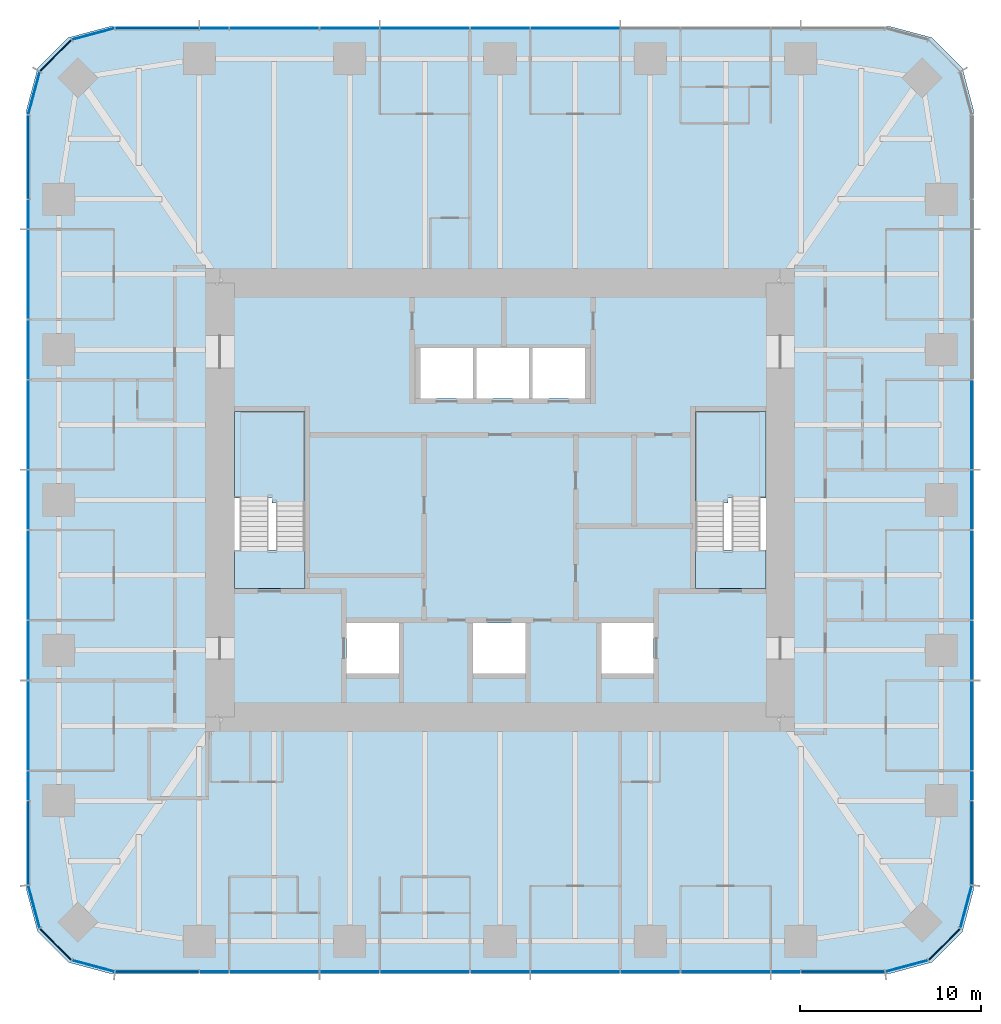
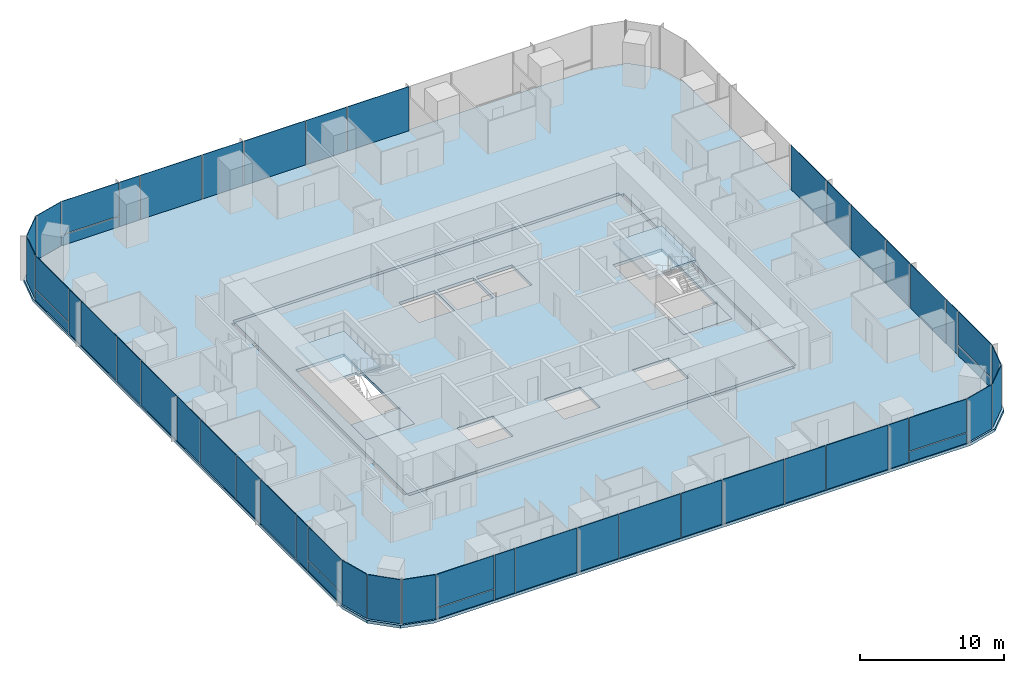
# One storey, part 7 of 12: 51 plates, 6 slabs, 9 elements without a shape of their own.
"""IFC4 building model written with IfcOpenShell, lengths in metres."""

from ifc_helpers import new_model, si_unit, direction, frame, origin, origin_2d, place, context, subcontext, project, spatial, polyline, rectangle, outline, extrude, material, layer, layer_set, type_object, element, aggregate, save


model = new_model("IFC4")

# Units and contexts
model_context = context("Model", 3, precision=1e-05, world=origin(), true_north=direction((0.0, 1.0)))
body_context = subcontext(model_context, "Body", "Model", "MODEL_VIEW")
ifc_project = project(units=[si_unit("LENGTHUNIT", "METRE"), si_unit("AREAUNIT", "SQUARE_METRE"), si_unit("VOLUMEUNIT", "CUBIC_METRE"), si_unit("PLANEANGLEUNIT", "RADIAN"), si_unit("MASSUNIT", "GRAM", prefix="KILO")], contexts=[model_context])

# Site, building, storey
site_placement = place(None, origin())
site = spatial("IfcSite", under=ifc_project, at=site_placement, CompositionType="ELEMENT")
building_placement = place(site_placement, origin())
building = spatial("IfcBuilding", under=site, at=building_placement, Name="Khuree Lantern Residences", CompositionType="ELEMENT")
storey_placement = place(building_placement, frame((0.0, 0.0, 229.5)))
storey = spatial("IfcBuildingStorey", under=building, at=storey_placement, Name="L57", CompositionType="ELEMENT", Elevation=229.5)

# Slab
ifc_material_1 = material(Name="Concrete C35/45", Category="concrete")
ifc_layer_1 = layer(ifc_material_1, 0.25)
ifc_layer_set_1 = layer_set([ifc_layer_1], Name="CFL250 CORE FLOOR SLAB 250")
slab_type_1 = type_object("IfcSlabType", Name="CFL250 CORE FLOOR SLAB 250", PredefinedType="FLOOR", material=ifc_layer_set_1)
slab_1_placement = place(storey_placement, frame((0.0, 0.0, -0.25)))
element("IfcSlab", 1, at=slab_1_placement, inside=storey, type_object=slab_type_1, Name="Core floor L57", PredefinedType="FLOOR", context=body_context, shape_type="SweptSolid", body=[
    extrude(outline(polyline([(-15.5, -12.0), (-15.5, 12.0), (15.5, 12.0), (15.5, -12.0), (-15.5, -12.0)]), holes=[polyline([(10.800048828125, 4.89990234375), (10.800048828125, -4.89990234375), (14.699951171875, -4.89990234375), (14.699951171875, 4.89990234375), (10.800048828125, 4.89990234375)]), polyline([(5.60009765625, -6.800048828125), (5.60009765625, -9.60009765625), (8.5, -9.60009765625), (8.5, -6.800048828125), (5.60009765625, -6.800048828125)]), polyline([(1.800048828125, 8.39990234375), (1.800048828125, 5.60009765625), (4.699951171875, 5.60009765625), (4.699951171875, 8.39990234375), (1.800048828125, 8.39990234375)]), polyline([(-1.300048828125, 8.39990234375), (-1.300048828125, 5.60009765625), (1.60009765625, 5.60009765625), (1.60009765625, 8.39990234375), (-1.300048828125, 8.39990234375)]), polyline([(-1.5, -6.800048828125), (-1.5, -9.60009765625), (1.39990234375, -9.60009765625), (1.39990234375, -6.800048828125), (-1.5, -6.800048828125)]), polyline([(-4.39990234375, 8.39990234375), (-4.39990234375, 5.60009765625), (-1.5, 5.60009765625), (-1.5, 8.39990234375), (-4.39990234375, 8.39990234375)]), polyline([(-8.5, -6.800048828125), (-8.5, -9.60009765625), (-5.60009765625, -9.60009765625), (-5.60009765625, -6.800048828125), (-8.5, -6.800048828125)]), polyline([(-14.699951171875, 4.89990234375), (-14.699951171875, -4.89990234375), (-10.800048828125, -4.89990234375), (-10.800048828125, 4.89990234375), (-14.699951171875, 4.89990234375)])]), origin(), (0.0, 0.0, 1.0), 0.25),
])

# Curtain wall, plates
ifc_material_2 = material(Name="Bronze anodised aluminium", Category="aluminium")
curtain_wall_type_1 = type_object("IfcCurtainWallType", Name="CW-T2 TOWER CORNER CURTAIN WALL", PredefinedType="USERDEFINED", material=ifc_material_2)
curtain_wall_1_placement = place(storey_placement, origin())
curtain_wall_1 = element("IfcCurtainWall", 2, at=curtain_wall_1_placement, inside=storey, type_object=curtain_wall_type_1, Name="L57 SOUTH-EAST CORNER CURTAIN WALL", ObjectType="Faceted corner curtain wall", PredefinedType="USERDEFINED")
ifc_material_3 = material(Name="Bronze tinted triple glazing", Category="glass")
ifc_layer_2 = layer(ifc_material_3, 0.048095703125)
ifc_layer_set_2 = layer_set([ifc_layer_2], Name="FACET PANEL P4")
plate_type_1 = type_object("IfcPlateType", Name="FACET PANEL P4", PredefinedType="CURTAIN_PANEL", material=ifc_layer_set_2)
plate_1_placement = place(storey_placement, frame((22.498046875, -25.779052734375, 0.0), z_axis=(0.0, 0.0, 1.0), x_axis=(0.965925832509, 0.258819021888, 0.0)))
plate_1 = element("IfcPlate", 3, at=plate_1_placement, type_object=plate_type_1, Name="L57 SOUTH-EAST CORNER PANEL 1.1", PredefinedType="CURTAIN_PANEL", context=body_context, shape_type="SweptSolid", body=[
    extrude(rectangle(XDim=2.40869140625, YDim=0.048095703125, at=origin_2d()), origin(), (0.0, 0.0, 1.0), 3.75),
])
plate_2_placement = place(storey_placement, frame((24.578369140625, -24.578369140625, 0.0), z_axis=(0.0, 0.0, 1.0), x_axis=(0.707106781187, 0.707106781187, 0.0)))
plate_2 = element("IfcPlate", 4, at=plate_2_placement, type_object=plate_type_1, Name="L57 SOUTH-EAST CORNER PANEL 2.1", PredefinedType="CURTAIN_PANEL", context=body_context, shape_type="SweptSolid", body=[
    extrude(rectangle(XDim=2.404541015625, YDim=0.048095703125, at=origin_2d()), origin(), (0.0, 0.0, 1.0), 3.75),
])
plate_3_placement = place(storey_placement, frame((25.779052734375, -22.498046875, 0.0), z_axis=(0.0, 0.0, 1.0), x_axis=(0.258819021888, 0.965925832509, 0.0)))
plate_3 = element("IfcPlate", 5, at=plate_3_placement, type_object=plate_type_1, Name="L57 SOUTH-EAST CORNER PANEL 3.1", PredefinedType="CURTAIN_PANEL", context=body_context, shape_type="SweptSolid", body=[
    extrude(rectangle(XDim=2.40869140625, YDim=0.048095703125, at=origin_2d()), origin(), (0.0, 0.0, 1.0), 3.75),
])
aggregate(curtain_wall_1, [plate_1, plate_2, plate_3])

curtain_wall_2_placement = place(storey_placement, origin())
curtain_wall_2 = element("IfcCurtainWall", 6, at=curtain_wall_2_placement, inside=storey, type_object=curtain_wall_type_1, Name="L57 NORTH-WEST CORNER CURTAIN WALL", ObjectType="Faceted corner curtain wall", PredefinedType="USERDEFINED")
plate_4_placement = place(storey_placement, frame((-22.498046875, 25.779052734375, 0.0), z_axis=(0.0, 0.0, 1.0), x_axis=(-0.965925832509, -0.258819021888, 0.0)))
plate_4 = element("IfcPlate", 7, at=plate_4_placement, type_object=plate_type_1, Name="L57 NORTH-WEST CORNER PANEL 29.1", PredefinedType="CURTAIN_PANEL", context=body_context, shape_type="SweptSolid", body=[
    extrude(rectangle(XDim=2.40869140625, YDim=0.048095703125, at=origin_2d()), origin(), (0.0, 0.0, 1.0), 3.75),
])
plate_5_placement = place(storey_placement, frame((-24.578369140625, 24.578369140625, 0.0), z_axis=(0.0, 0.0, 1.0), x_axis=(-0.707106781187, -0.707106781187, 0.0)))
plate_5 = element("IfcPlate", 8, at=plate_5_placement, type_object=plate_type_1, Name="L57 NORTH-WEST CORNER PANEL 30.1", PredefinedType="CURTAIN_PANEL", context=body_context, shape_type="SweptSolid", body=[
    extrude(rectangle(XDim=2.404541015625, YDim=0.048095703125, at=origin_2d()), origin(), (0.0, 0.0, 1.0), 3.75),
])
plate_6_placement = place(storey_placement, frame((-25.779052734375, 22.498046875, 0.0), z_axis=(0.0, 0.0, 1.0), x_axis=(-0.258819021888, -0.965925832509, 0.0)))
plate_6 = element("IfcPlate", 9, at=plate_6_placement, type_object=plate_type_1, Name="L57 NORTH-WEST CORNER PANEL 31.1", PredefinedType="CURTAIN_PANEL", context=body_context, shape_type="SweptSolid", body=[
    extrude(rectangle(XDim=2.40869140625, YDim=0.048095703125, at=origin_2d()), origin(), (0.0, 0.0, 1.0), 3.75),
])
aggregate(curtain_wall_2, [plate_4, plate_5, plate_6])

curtain_wall_3_placement = place(storey_placement, origin())
curtain_wall_3 = element("IfcCurtainWall", 10, at=curtain_wall_3_placement, inside=storey, type_object=curtain_wall_type_1, Name="L57 SOUTH-WEST CORNER CURTAIN WALL", ObjectType="Faceted corner curtain wall", PredefinedType="USERDEFINED")
plate_7_placement = place(storey_placement, frame((-25.779052734375, -22.498046875, 0.0), z_axis=(0.0, 0.0, 1.0), x_axis=(0.258819021888, -0.965925832509, 0.0)))
plate_7 = element("IfcPlate", 11, at=plate_7_placement, type_object=plate_type_1, Name="L57 SOUTH-WEST CORNER PANEL 43.1", PredefinedType="CURTAIN_PANEL", context=body_context, shape_type="SweptSolid", body=[
    extrude(rectangle(XDim=2.40869140625, YDim=0.048095703125, at=origin_2d()), origin(), (0.0, 0.0, 1.0), 3.75),
])
plate_8_placement = place(storey_placement, frame((-24.578369140625, -24.578369140625, 0.0), z_axis=(0.0, 0.0, 1.0), x_axis=(0.707106781187, -0.707106781187, 0.0)))
plate_8 = element("IfcPlate", 12, at=plate_8_placement, type_object=plate_type_1, Name="L57 SOUTH-WEST CORNER PANEL 44.1", PredefinedType="CURTAIN_PANEL", context=body_context, shape_type="SweptSolid", body=[
    extrude(rectangle(XDim=2.404541015625, YDim=0.048095703125, at=origin_2d()), origin(), (0.0, 0.0, 1.0), 3.75),
])
plate_9_placement = place(storey_placement, frame((-22.498046875, -25.779052734375, 0.0), z_axis=(0.0, 0.0, 1.0), x_axis=(0.965925832509, -0.258819021888, 0.0)))
plate_9 = element("IfcPlate", 13, at=plate_9_placement, type_object=plate_type_1, Name="L57 SOUTH-WEST CORNER PANEL 45.1", PredefinedType="CURTAIN_PANEL", context=body_context, shape_type="SweptSolid", body=[
    extrude(rectangle(XDim=2.40869140625, YDim=0.048095703125, at=origin_2d()), origin(), (0.0, 0.0, 1.0), 3.75),
])
aggregate(curtain_wall_3, [plate_7, plate_8, plate_9])

curtain_wall_type_2 = type_object("IfcCurtainWallType", Name="CW-T1 TOWER FACE CURTAIN WALL", PredefinedType="USERDEFINED", material=ifc_material_2)
curtain_wall_4_placement = place(storey_placement, origin())
curtain_wall_4 = element("IfcCurtainWall", 14, at=curtain_wall_4_placement, inside=storey, type_object=curtain_wall_type_2, Name="L57 EAST FACE CURTAIN WALL", ObjectType="Stick-built curtain wall", PredefinedType="USERDEFINED")
ifc_material_4 = material(Name="Bronze tinted triple glazing with a ceramic-fritted spandrel band", Category="glass")
ifc_layer_3 = layer(ifc_material_4, 0.048095703125)
ifc_layer_set_3 = layer_set([ifc_layer_3], Name="FIXED LIGHT PANEL P11")
plate_type_2 = type_object("IfcPlateType", Name="FIXED LIGHT PANEL P11", PredefinedType="CURTAIN_PANEL", material=ifc_layer_set_3)
plate_10_placement = place(storey_placement, frame((26.10009765625, -12.47998046875, 0.0), z_axis=(0.0, 0.0, 1.0), x_axis=(0.0, 1.0, 0.0)))
plate_10 = element("IfcPlate", 15, at=plate_10_placement, type_object=plate_type_2, Name="L57 EAST FACE PANEL 6.1", PredefinedType="CURTAIN_PANEL", context=body_context, shape_type="SweptSolid", body=[
    extrude(rectangle(XDim=4.927001953125, YDim=0.048095703125, at=origin_2d()), origin(), (0.0, 0.0, 1.0), 3.75),
])
plate_11_placement = place(storey_placement, frame((26.10009765625, -4.159912109375, 0.0), z_axis=(0.0, 0.0, 1.0), x_axis=(0.0, 1.0, 0.0)))
plate_11 = element("IfcPlate", 16, at=plate_11_placement, type_object=plate_type_2, Name="L57 EAST FACE PANEL 8.1", PredefinedType="CURTAIN_PANEL", context=body_context, shape_type="SweptSolid", body=[
    extrude(rectangle(XDim=4.927001953125, YDim=0.048095703125, at=origin_2d()), origin(), (0.0, 0.0, 1.0), 3.75),
])
plate_12_placement = place(storey_placement, frame((26.10009765625, 4.159912109375, 0.0), z_axis=(0.0, 0.0, 1.0), x_axis=(0.0, 1.0, 0.0)))
plate_12 = element("IfcPlate", 17, at=plate_12_placement, type_object=plate_type_2, Name="L57 EAST FACE PANEL 10.1", PredefinedType="CURTAIN_PANEL", context=body_context, shape_type="SweptSolid", body=[
    extrude(rectangle(XDim=4.927001953125, YDim=0.048095703125, at=origin_2d()), origin(), (0.0, 0.0, 1.0), 3.75),
])

curtain_wall_5_placement = place(storey_placement, origin())
curtain_wall_5 = element("IfcCurtainWall", 18, at=curtain_wall_5_placement, inside=storey, type_object=curtain_wall_type_2, Name="L57 NORTH FACE CURTAIN WALL", ObjectType="Stick-built curtain wall", PredefinedType="USERDEFINED")
plate_13_placement = place(storey_placement, frame((4.159912109375, 26.10009765625, 0.0), z_axis=(0.0, 0.0, 1.0), x_axis=(-1.0, 0.0, 0.0)))
plate_13 = element("IfcPlate", 19, at=plate_13_placement, type_object=plate_type_2, Name="L57 NORTH FACE PANEL 22.1", PredefinedType="CURTAIN_PANEL", context=body_context, shape_type="SweptSolid", body=[
    extrude(rectangle(XDim=4.927001953125, YDim=0.048095703125, at=origin_2d()), origin(), (0.0, 0.0, 1.0), 3.75),
])
plate_14_placement = place(storey_placement, frame((-4.159912109375, 26.10009765625, 0.0), z_axis=(0.0, 0.0, 1.0), x_axis=(-1.0, 0.0, 0.0)))
plate_14 = element("IfcPlate", 20, at=plate_14_placement, type_object=plate_type_2, Name="L57 NORTH FACE PANEL 24.1", PredefinedType="CURTAIN_PANEL", context=body_context, shape_type="SweptSolid", body=[
    extrude(rectangle(XDim=4.927001953125, YDim=0.048095703125, at=origin_2d()), origin(), (0.0, 0.0, 1.0), 3.75),
])
plate_15_placement = place(storey_placement, frame((-12.47998046875, 26.10009765625, 0.0), z_axis=(0.0, 0.0, 1.0), x_axis=(-1.0, 0.0, 0.0)))
plate_15 = element("IfcPlate", 21, at=plate_15_placement, type_object=plate_type_2, Name="L57 NORTH FACE PANEL 26.1", PredefinedType="CURTAIN_PANEL", context=body_context, shape_type="SweptSolid", body=[
    extrude(rectangle(XDim=4.927001953125, YDim=0.048095703125, at=origin_2d()), origin(), (0.0, 0.0, 1.0), 3.75),
])

curtain_wall_6_placement = place(storey_placement, origin())
curtain_wall_6 = element("IfcCurtainWall", 22, at=curtain_wall_6_placement, inside=storey, type_object=curtain_wall_type_2, Name="L57 WEST FACE CURTAIN WALL", ObjectType="Stick-built curtain wall", PredefinedType="USERDEFINED")
plate_16_placement = place(storey_placement, frame((-26.10009765625, 12.47998046875, 0.0), z_axis=(0.0, 0.0, 1.0), x_axis=(0.0, -1.0, 0.0)))
plate_16 = element("IfcPlate", 23, at=plate_16_placement, type_object=plate_type_2, Name="L57 WEST FACE PANEL 34.1", PredefinedType="CURTAIN_PANEL", context=body_context, shape_type="SweptSolid", body=[
    extrude(rectangle(XDim=4.927001953125, YDim=0.048095703125, at=origin_2d()), origin(), (0.0, 0.0, 1.0), 3.75),
])
plate_17_placement = place(storey_placement, frame((-26.10009765625, 4.159912109375, 0.0), z_axis=(0.0, 0.0, 1.0), x_axis=(0.0, -1.0, 0.0)))
plate_17 = element("IfcPlate", 24, at=plate_17_placement, type_object=plate_type_2, Name="L57 WEST FACE PANEL 36.1", PredefinedType="CURTAIN_PANEL", context=body_context, shape_type="SweptSolid", body=[
    extrude(rectangle(XDim=4.927001953125, YDim=0.048095703125, at=origin_2d()), origin(), (0.0, 0.0, 1.0), 3.75),
])
plate_18_placement = place(storey_placement, frame((-26.10009765625, -4.159912109375, 0.0), z_axis=(0.0, 0.0, 1.0), x_axis=(0.0, -1.0, 0.0)))
plate_18 = element("IfcPlate", 25, at=plate_18_placement, type_object=plate_type_2, Name="L57 WEST FACE PANEL 38.1", PredefinedType="CURTAIN_PANEL", context=body_context, shape_type="SweptSolid", body=[
    extrude(rectangle(XDim=4.927001953125, YDim=0.048095703125, at=origin_2d()), origin(), (0.0, 0.0, 1.0), 3.75),
])
plate_19_placement = place(storey_placement, frame((-26.10009765625, -12.47998046875, 0.0), z_axis=(0.0, 0.0, 1.0), x_axis=(0.0, -1.0, 0.0)))
plate_19 = element("IfcPlate", 26, at=plate_19_placement, type_object=plate_type_2, Name="L57 WEST FACE PANEL 40.1", PredefinedType="CURTAIN_PANEL", context=body_context, shape_type="SweptSolid", body=[
    extrude(rectangle(XDim=4.927001953125, YDim=0.048095703125, at=origin_2d()), origin(), (0.0, 0.0, 1.0), 3.75),
])

curtain_wall_7_placement = place(storey_placement, origin())
curtain_wall_7 = element("IfcCurtainWall", 27, at=curtain_wall_7_placement, inside=storey, type_object=curtain_wall_type_2, Name="L57 SOUTH FACE CURTAIN WALL", ObjectType="Stick-built curtain wall", PredefinedType="USERDEFINED")
plate_20_placement = place(storey_placement, frame((-12.47998046875, -26.10009765625, 0.0), z_axis=(0.0, 0.0, 1.0), x_axis=(1.0, 0.0, 0.0)))
plate_20 = element("IfcPlate", 28, at=plate_20_placement, type_object=plate_type_2, Name="L57 SOUTH FACE PANEL 48.1", PredefinedType="CURTAIN_PANEL", context=body_context, shape_type="SweptSolid", body=[
    extrude(rectangle(XDim=4.927001953125, YDim=0.048095703125, at=origin_2d()), origin(), (0.0, 0.0, 1.0), 3.75),
])
plate_21_placement = place(storey_placement, frame((-4.159912109375, -26.10009765625, 0.0), z_axis=(0.0, 0.0, 1.0), x_axis=(1.0, 0.0, 0.0)))
plate_21 = element("IfcPlate", 29, at=plate_21_placement, type_object=plate_type_2, Name="L57 SOUTH FACE PANEL 50.1", PredefinedType="CURTAIN_PANEL", context=body_context, shape_type="SweptSolid", body=[
    extrude(rectangle(XDim=4.927001953125, YDim=0.048095703125, at=origin_2d()), origin(), (0.0, 0.0, 1.0), 3.75),
])
plate_22_placement = place(storey_placement, frame((4.159912109375, -26.10009765625, 0.0), z_axis=(0.0, 0.0, 1.0), x_axis=(1.0, 0.0, 0.0)))
plate_22 = element("IfcPlate", 30, at=plate_22_placement, type_object=plate_type_2, Name="L57 SOUTH FACE PANEL 52.1", PredefinedType="CURTAIN_PANEL", context=body_context, shape_type="SweptSolid", body=[
    extrude(rectangle(XDim=4.927001953125, YDim=0.048095703125, at=origin_2d()), origin(), (0.0, 0.0, 1.0), 3.75),
])
plate_23_placement = place(storey_placement, frame((12.47998046875, -26.10009765625, 0.0), z_axis=(0.0, 0.0, 1.0), x_axis=(1.0, 0.0, 0.0)))
plate_23 = element("IfcPlate", 31, at=plate_23_placement, type_object=plate_type_2, Name="L57 SOUTH FACE PANEL 54.1", PredefinedType="CURTAIN_PANEL", context=body_context, shape_type="SweptSolid", body=[
    extrude(rectangle(XDim=4.927001953125, YDim=0.048095703125, at=origin_2d()), origin(), (0.0, 0.0, 1.0), 3.75),
])

# Slab
ifc_layer_4 = layer(ifc_material_1, 0.25)
ifc_layer_set_4 = layer_set([ifc_layer_4], Name="FS250 FLOOR SLAB 250")
slab_type_2 = type_object("IfcSlabType", Name="FS250 FLOOR SLAB 250", PredefinedType="FLOOR", material=ifc_layer_set_4)
slab_2_placement = place(storey_placement, frame((0.0, 0.0, -0.25)))
element("IfcSlab", 32, at=slab_2_placement, inside=storey, type_object=slab_type_2, Name="Floor slab L57", PredefinedType="FLOOR", context=body_context, shape_type="SweptSolid", body=[
    extrude(outline(polyline([(-23.875, -25.576904296875), (-25.576904296875, -23.875), (-26.199951171875, -21.550048828125), (-26.199951171875, 21.550048828125), (-25.576904296875, 23.875), (-23.875, 25.576904296875), (-21.550048828125, 26.199951171875), (21.550048828125, 26.199951171875), (23.875, 25.576904296875), (25.576904296875, 23.875), (26.199951171875, 21.550048828125), (26.199951171875, -21.550048828125), (25.576904296875, -23.875), (23.875, -25.576904296875), (21.550048828125, -26.199951171875), (-21.550048828125, -26.199951171875), (-23.875, -25.576904296875)]), holes=[polyline([(15.75, 12.0), (15.5, 12.0), (15.5, 12.25), (-15.5, 12.25), (-15.5, 12.0), (-15.75, 12.0), (-15.75, -12.0), (-15.5, -12.0), (-15.5, -12.25), (15.5, -12.25), (15.5, -12.0), (15.75, -12.0), (15.75, 12.0)])]), origin(), (0.0, 0.0, 1.0), 0.25),
])

# Plate
ifc_material_5 = material(Name="Bronze tinted triple glazing, two aluminium-framed sashes in one frame", Category="aluminium")
ifc_layer_5 = layer(ifc_material_5, 0.048095703125)
ifc_layer_set_5 = layer_set([ifc_layer_5], Name="SASH PAIR PANEL P12")
plate_type_3 = type_object("IfcPlateType", Name="SASH PAIR PANEL P12", PredefinedType="CURTAIN_PANEL", material=ifc_layer_set_5)
plate_24_placement = place(storey_placement, frame((26.10009765625, -8.320068359375, 0.0), z_axis=(0.0, 0.0, 1.0), x_axis=(0.0, 1.0, 0.0)))
plate_24 = element("IfcPlate", 33, at=plate_24_placement, type_object=plate_type_3, Name="L57 EAST FACE PANEL 7.1", PredefinedType="CURTAIN_PANEL", context=body_context, shape_type="SweptSolid", body=[
    extrude(rectangle(XDim=3.262939453125, YDim=0.048095703125, at=origin_2d()), origin(), (0.0, 0.0, 1.0), 3.75),
])

plate_25_placement = place(storey_placement, frame((26.10009765625, 0.0, 0.0), z_axis=(0.0, 0.0, 1.0), x_axis=(0.0, 1.0, 0.0)))
plate_25 = element("IfcPlate", 34, at=plate_25_placement, type_object=plate_type_3, Name="L57 EAST FACE PANEL 9.1", PredefinedType="CURTAIN_PANEL", context=body_context, shape_type="SweptSolid", body=[
    extrude(rectangle(XDim=3.262939453125, YDim=0.048095703125, at=origin_2d()), origin(), (0.0, 0.0, 1.0), 3.75),
])

plate_26_placement = place(storey_placement, frame((0.0, 26.10009765625, 0.0), z_axis=(0.0, 0.0, 1.0), x_axis=(-1.0, 0.0, 0.0)))
plate_26 = element("IfcPlate", 35, at=plate_26_placement, type_object=plate_type_3, Name="L57 NORTH FACE PANEL 23.1", PredefinedType="CURTAIN_PANEL", context=body_context, shape_type="SweptSolid", body=[
    extrude(rectangle(XDim=3.262939453125, YDim=0.048095703125, at=origin_2d()), origin(), (0.0, 0.0, 1.0), 3.75),
])

plate_27_placement = place(storey_placement, frame((-8.320068359375, 26.10009765625, 0.0), z_axis=(0.0, 0.0, 1.0), x_axis=(-1.0, 0.0, 0.0)))
plate_27 = element("IfcPlate", 36, at=plate_27_placement, type_object=plate_type_3, Name="L57 NORTH FACE PANEL 25.1", PredefinedType="CURTAIN_PANEL", context=body_context, shape_type="SweptSolid", body=[
    extrude(rectangle(XDim=3.262939453125, YDim=0.048095703125, at=origin_2d()), origin(), (0.0, 0.0, 1.0), 3.75),
])

plate_28_placement = place(storey_placement, frame((-26.10009765625, 8.320068359375, 0.0), z_axis=(0.0, 0.0, 1.0), x_axis=(0.0, -1.0, 0.0)))
plate_28 = element("IfcPlate", 37, at=plate_28_placement, type_object=plate_type_3, Name="L57 WEST FACE PANEL 35.1", PredefinedType="CURTAIN_PANEL", context=body_context, shape_type="SweptSolid", body=[
    extrude(rectangle(XDim=3.262939453125, YDim=0.048095703125, at=origin_2d()), origin(), (0.0, 0.0, 1.0), 3.75),
])

plate_29_placement = place(storey_placement, frame((-26.10009765625, 0.0, 0.0), z_axis=(0.0, 0.0, 1.0), x_axis=(0.0, -1.0, 0.0)))
plate_29 = element("IfcPlate", 38, at=plate_29_placement, type_object=plate_type_3, Name="L57 WEST FACE PANEL 37.1", PredefinedType="CURTAIN_PANEL", context=body_context, shape_type="SweptSolid", body=[
    extrude(rectangle(XDim=3.262939453125, YDim=0.048095703125, at=origin_2d()), origin(), (0.0, 0.0, 1.0), 3.75),
])

plate_30_placement = place(storey_placement, frame((-26.10009765625, -8.320068359375, 0.0), z_axis=(0.0, 0.0, 1.0), x_axis=(0.0, -1.0, 0.0)))
plate_30 = element("IfcPlate", 39, at=plate_30_placement, type_object=plate_type_3, Name="L57 WEST FACE PANEL 39.1", PredefinedType="CURTAIN_PANEL", context=body_context, shape_type="SweptSolid", body=[
    extrude(rectangle(XDim=3.262939453125, YDim=0.048095703125, at=origin_2d()), origin(), (0.0, 0.0, 1.0), 3.75),
])

plate_31_placement = place(storey_placement, frame((-8.320068359375, -26.10009765625, 0.0), z_axis=(0.0, 0.0, 1.0), x_axis=(1.0, 0.0, 0.0)))
plate_31 = element("IfcPlate", 40, at=plate_31_placement, type_object=plate_type_3, Name="L57 SOUTH FACE PANEL 49.1", PredefinedType="CURTAIN_PANEL", context=body_context, shape_type="SweptSolid", body=[
    extrude(rectangle(XDim=3.262939453125, YDim=0.048095703125, at=origin_2d()), origin(), (0.0, 0.0, 1.0), 3.75),
])

plate_32_placement = place(storey_placement, frame((0.0, -26.10009765625, 0.0), z_axis=(0.0, 0.0, 1.0), x_axis=(1.0, 0.0, 0.0)))
plate_32 = element("IfcPlate", 41, at=plate_32_placement, type_object=plate_type_3, Name="L57 SOUTH FACE PANEL 51.1", PredefinedType="CURTAIN_PANEL", context=body_context, shape_type="SweptSolid", body=[
    extrude(rectangle(XDim=3.262939453125, YDim=0.048095703125, at=origin_2d()), origin(), (0.0, 0.0, 1.0), 3.75),
])

plate_33_placement = place(storey_placement, frame((8.320068359375, -26.10009765625, 0.0), z_axis=(0.0, 0.0, 1.0), x_axis=(1.0, 0.0, 0.0)))
plate_33 = element("IfcPlate", 42, at=plate_33_placement, type_object=plate_type_3, Name="L57 SOUTH FACE PANEL 53.1", PredefinedType="CURTAIN_PANEL", context=body_context, shape_type="SweptSolid", body=[
    extrude(rectangle(XDim=3.262939453125, YDim=0.048095703125, at=origin_2d()), origin(), (0.0, 0.0, 1.0), 3.75),
])

ifc_material_6 = material(Name="Bronze tinted triple glazing, aluminium-framed sash", Category="aluminium")
ifc_layer_6 = layer(ifc_material_6, 0.048095703125)
ifc_layer_set_6 = layer_set([ifc_layer_6], Name="SASH PANEL P3")
plate_type_4 = type_object("IfcPlateType", Name="SASH PANEL P3", PredefinedType="CURTAIN_PANEL", material=ifc_layer_set_6)
plate_34_placement = place(storey_placement, frame((26.10009765625, -15.80810546875, 0.0), z_axis=(0.0, 0.0, 1.0), x_axis=(0.0, 1.0, 0.0)))
plate_34 = element("IfcPlate", 43, at=plate_34_placement, type_object=plate_type_4, Name="L57 EAST FACE PANEL 5.1", PredefinedType="CURTAIN_PANEL", context=body_context, shape_type="SweptSolid", body=[
    extrude(rectangle(XDim=1.59912109375, YDim=0.048095703125, at=origin_2d()), origin(), (0.0, 0.0, 1.0), 3.75),
])

plate_35_placement = place(storey_placement, frame((-15.80810546875, 26.10009765625, 0.0), z_axis=(0.0, 0.0, 1.0), x_axis=(-1.0, 0.0, 0.0)))
plate_35 = element("IfcPlate", 44, at=plate_35_placement, type_object=plate_type_4, Name="L57 NORTH FACE PANEL 27.1", PredefinedType="CURTAIN_PANEL", context=body_context, shape_type="SweptSolid", body=[
    extrude(rectangle(XDim=1.59912109375, YDim=0.048095703125, at=origin_2d()), origin(), (0.0, 0.0, 1.0), 3.75),
])

plate_36_placement = place(storey_placement, frame((-26.10009765625, 15.80810546875, 0.0), z_axis=(0.0, 0.0, 1.0), x_axis=(0.0, -1.0, 0.0)))
plate_36 = element("IfcPlate", 45, at=plate_36_placement, type_object=plate_type_4, Name="L57 WEST FACE PANEL 33.1", PredefinedType="CURTAIN_PANEL", context=body_context, shape_type="SweptSolid", body=[
    extrude(rectangle(XDim=1.59912109375, YDim=0.048095703125, at=origin_2d()), origin(), (0.0, 0.0, 1.0), 3.75),
])

plate_37_placement = place(storey_placement, frame((-26.10009765625, -15.80810546875, 0.0), z_axis=(0.0, 0.0, 1.0), x_axis=(0.0, -1.0, 0.0)))
plate_37 = element("IfcPlate", 46, at=plate_37_placement, type_object=plate_type_4, Name="L57 WEST FACE PANEL 41.1", PredefinedType="CURTAIN_PANEL", context=body_context, shape_type="SweptSolid", body=[
    extrude(rectangle(XDim=1.59912109375, YDim=0.048095703125, at=origin_2d()), origin(), (0.0, 0.0, 1.0), 3.75),
])

plate_38_placement = place(storey_placement, frame((-15.80810546875, -26.10009765625, 0.0), z_axis=(0.0, 0.0, 1.0), x_axis=(1.0, 0.0, 0.0)))
plate_38 = element("IfcPlate", 47, at=plate_38_placement, type_object=plate_type_4, Name="L57 SOUTH FACE PANEL 47.1", PredefinedType="CURTAIN_PANEL", context=body_context, shape_type="SweptSolid", body=[
    extrude(rectangle(XDim=1.59912109375, YDim=0.048095703125, at=origin_2d()), origin(), (0.0, 0.0, 1.0), 3.75),
])

plate_39_placement = place(storey_placement, frame((15.80810546875, -26.10009765625, 0.0), z_axis=(0.0, 0.0, 1.0), x_axis=(1.0, 0.0, 0.0)))
plate_39 = element("IfcPlate", 48, at=plate_39_placement, type_object=plate_type_4, Name="L57 SOUTH FACE PANEL 55.1", PredefinedType="CURTAIN_PANEL", context=body_context, shape_type="SweptSolid", body=[
    extrude(rectangle(XDim=1.59912109375, YDim=0.048095703125, at=origin_2d()), origin(), (0.0, 0.0, 1.0), 3.75),
])

ifc_material_7 = material(Name="Bronze anodised aluminium insulated spandrel", Category="aluminium")
ifc_layer_7 = layer(ifc_material_7, 0.06005859375)
ifc_layer_set_7 = layer_set([ifc_layer_7], Name="SPANDREL PANEL P2")
plate_type_5 = type_object("IfcPlateType", Name="SPANDREL PANEL P2", PredefinedType="CURTAIN_PANEL", material=ifc_layer_set_7)
plate_40_placement = place(storey_placement, frame((26.10009765625, -18.9677734375, 0.0), z_axis=(0.0, 0.0, 1.0), x_axis=(0.0, 1.0, 0.0)))
plate_40 = element("IfcPlate", 49, at=plate_40_placement, type_object=plate_type_5, Name="L57 EAST FACE PANEL 4.1", PredefinedType="CURTAIN_PANEL", context=body_context, shape_type="SweptSolid", body=[
    extrude(rectangle(XDim=4.5908203125, YDim=0.06005859375, at=origin_2d()), origin(), (0.0, 0.0, 1.0), 0.867431640625),
])

plate_41_placement = place(storey_placement, frame((-18.9677734375, 26.10009765625, 0.0), z_axis=(0.0, 0.0, 1.0), x_axis=(-1.0, 0.0, 0.0)))
plate_41 = element("IfcPlate", 50, at=plate_41_placement, type_object=plate_type_5, Name="L57 NORTH FACE PANEL 28.1", PredefinedType="CURTAIN_PANEL", context=body_context, shape_type="SweptSolid", body=[
    extrude(rectangle(XDim=4.5908203125, YDim=0.06005859375, at=origin_2d()), origin(), (0.0, 0.0, 1.0), 0.867431640625),
])

plate_42_placement = place(storey_placement, frame((-26.10009765625, 18.9677734375, 0.0), z_axis=(0.0, 0.0, 1.0), x_axis=(0.0, -1.0, 0.0)))
plate_42 = element("IfcPlate", 51, at=plate_42_placement, type_object=plate_type_5, Name="L57 WEST FACE PANEL 32.1", PredefinedType="CURTAIN_PANEL", context=body_context, shape_type="SweptSolid", body=[
    extrude(rectangle(XDim=4.5908203125, YDim=0.06005859375, at=origin_2d()), origin(), (0.0, 0.0, 1.0), 0.867431640625),
])

plate_43_placement = place(storey_placement, frame((-26.10009765625, -18.9677734375, 0.0), z_axis=(0.0, 0.0, 1.0), x_axis=(0.0, -1.0, 0.0)))
plate_43 = element("IfcPlate", 52, at=plate_43_placement, type_object=plate_type_5, Name="L57 WEST FACE PANEL 42.1", PredefinedType="CURTAIN_PANEL", context=body_context, shape_type="SweptSolid", body=[
    extrude(rectangle(XDim=4.5908203125, YDim=0.06005859375, at=origin_2d()), origin(), (0.0, 0.0, 1.0), 0.867431640625),
])

plate_44_placement = place(storey_placement, frame((-18.9677734375, -26.10009765625, 0.0), z_axis=(0.0, 0.0, 1.0), x_axis=(1.0, 0.0, 0.0)))
plate_44 = element("IfcPlate", 53, at=plate_44_placement, type_object=plate_type_5, Name="L57 SOUTH FACE PANEL 46.1", PredefinedType="CURTAIN_PANEL", context=body_context, shape_type="SweptSolid", body=[
    extrude(rectangle(XDim=4.5908203125, YDim=0.06005859375, at=origin_2d()), origin(), (0.0, 0.0, 1.0), 0.867431640625),
])

plate_45_placement = place(storey_placement, frame((18.9677734375, -26.10009765625, 0.0), z_axis=(0.0, 0.0, 1.0), x_axis=(1.0, 0.0, 0.0)))
plate_45 = element("IfcPlate", 54, at=plate_45_placement, type_object=plate_type_5, Name="L57 SOUTH FACE PANEL 56.1", PredefinedType="CURTAIN_PANEL", context=body_context, shape_type="SweptSolid", body=[
    extrude(rectangle(XDim=4.5908203125, YDim=0.06005859375, at=origin_2d()), origin(), (0.0, 0.0, 1.0), 0.867431640625),
])

# Stair, slabs
ifc_material_8 = material(Name="Concrete C40/50", Category="concrete")
stair_type = type_object("IfcStairType", Name="STAIR ST1 HALF TURN 3600", PredefinedType="HALF_TURN_STAIR", material=ifc_material_8)
stair_1_placement = place(storey_placement, origin())
stair_1 = element("IfcStair", 55, at=stair_1_placement, inside=storey, type_object=stair_type, Name="Stair ST1", PredefinedType="HALF_TURN_STAIR")
ifc_layer_8 = layer(ifc_material_8, 0.199951171875)
ifc_layer_set_8 = layer_set([ifc_layer_8], Name="STAIR LANDING SL1 200")
slab_type_3 = type_object("IfcSlabType", Name="STAIR LANDING SL1 200", PredefinedType="LANDING", material=ifc_layer_set_8)
slab_3_placement = place(storey_placement, frame((0.0, 0.0, -0.199951171875)))
slab_3 = element("IfcSlab", 56, at=slab_3_placement, type_object=slab_type_3, Name="ST1 landing 1", PredefinedType="LANDING", context=body_context, shape_type="SweptSolid", body=[
    extrude(outline(polyline([(-14.699951171875, -4.89990234375), (-10.800048828125, -4.89990234375), (-10.800048828125, -2.760009765625), (-14.699951171875, -2.760009765625), (-14.699951171875, -4.89990234375)])), origin(), (0.0, 0.0, 1.0), 0.199951171875),
])
slab_4_placement = place(storey_placement, frame((0.0, 0.0, 1.756591796875)))
slab_4 = element("IfcSlab", 57, at=slab_4_placement, type_object=slab_type_3, Name="ST1 landing 2", PredefinedType="LANDING", context=body_context, shape_type="SweptSolid", body=[
    extrude(outline(polyline([(-14.699951171875, 0.1201171875), (-14.699951171875, 4.89990234375), (-10.800048828125, 4.89990234375), (-10.800048828125, -0.159912109375), (-12.60009765625, -0.159912109375), (-12.60009765625, 0.1201171875), (-14.699951171875, 0.1201171875)])), origin(), (0.0, 0.0, 1.0), 0.199951171875),
])
aggregate(stair_1, [slab_3, slab_4])

stair_2_placement = place(storey_placement, origin())
stair_2 = element("IfcStair", 58, at=stair_2_placement, inside=storey, type_object=stair_type, Name="Stair ST2", PredefinedType="HALF_TURN_STAIR")
slab_5_placement = place(storey_placement, frame((0.0, 0.0, -0.199951171875)))
slab_5 = element("IfcSlab", 59, at=slab_5_placement, type_object=slab_type_3, Name="ST2 landing 1", PredefinedType="LANDING", context=body_context, shape_type="SweptSolid", body=[
    extrude(outline(polyline([(10.800048828125, -4.89990234375), (14.699951171875, -4.89990234375), (14.699951171875, -2.760009765625), (10.800048828125, -2.760009765625), (10.800048828125, -4.89990234375)])), origin(), (0.0, 0.0, 1.0), 0.199951171875),
])
slab_6_placement = place(storey_placement, frame((0.0, 0.0, 1.756591796875)))
slab_6 = element("IfcSlab", 60, at=slab_6_placement, type_object=slab_type_3, Name="ST2 landing 2", PredefinedType="LANDING", context=body_context, shape_type="SweptSolid", body=[
    extrude(outline(polyline([(14.699951171875, 4.89990234375), (14.699951171875, 0.1201171875), (12.60009765625, 0.1201171875), (12.60009765625, -0.159912109375), (10.800048828125, -0.159912109375), (10.800048828125, 4.89990234375), (14.699951171875, 4.89990234375)])), origin(), (0.0, 0.0, 1.0), 0.199951171875),
])
aggregate(stair_2, [slab_5, slab_6])

# Plate
ifc_layer_9 = layer(ifc_material_3, 0.048095703125)
ifc_layer_set_9 = layer_set([ifc_layer_9], Name="VISION PANEL P1")
plate_type_6 = type_object("IfcPlateType", Name="VISION PANEL P1", PredefinedType="CURTAIN_PANEL", material=ifc_layer_set_9)
plate_46_placement = place(storey_placement, frame((26.10009765625, -18.96826171875, 0.9326171875), z_axis=(0.0, 0.0, 1.0), x_axis=(0.0, 1.0, 0.0)))
plate_46 = element("IfcPlate", 61, at=plate_46_placement, type_object=plate_type_6, Name="L57 EAST FACE PANEL 4.2", PredefinedType="CURTAIN_PANEL", context=body_context, shape_type="SweptSolid", body=[
    extrude(rectangle(XDim=4.591552734375, YDim=0.048095703125, at=origin_2d()), origin(), (0.0, 0.0, 1.0), 2.8173828125),
])

aggregate(curtain_wall_4, [plate_40, plate_46, plate_34, plate_10, plate_24, plate_11, plate_25, plate_12])

plate_47_placement = place(storey_placement, frame((-18.96826171875, 26.10009765625, 0.9326171875), z_axis=(0.0, 0.0, 1.0), x_axis=(-1.0, 0.0, 0.0)))
plate_47 = element("IfcPlate", 62, at=plate_47_placement, type_object=plate_type_6, Name="L57 NORTH FACE PANEL 28.2", PredefinedType="CURTAIN_PANEL", context=body_context, shape_type="SweptSolid", body=[
    extrude(rectangle(XDim=4.591552734375, YDim=0.048095703125, at=origin_2d()), origin(), (0.0, 0.0, 1.0), 2.8173828125),
])

aggregate(curtain_wall_5, [plate_13, plate_26, plate_14, plate_27, plate_15, plate_35, plate_41, plate_47])

plate_48_placement = place(storey_placement, frame((-26.10009765625, 18.96826171875, 0.9326171875), z_axis=(0.0, 0.0, 1.0), x_axis=(0.0, -1.0, 0.0)))
plate_48 = element("IfcPlate", 63, at=plate_48_placement, type_object=plate_type_6, Name="L57 WEST FACE PANEL 32.2", PredefinedType="CURTAIN_PANEL", context=body_context, shape_type="SweptSolid", body=[
    extrude(rectangle(XDim=4.591552734375, YDim=0.048095703125, at=origin_2d()), origin(), (0.0, 0.0, 1.0), 2.8173828125),
])

plate_49_placement = place(storey_placement, frame((-26.10009765625, -18.96826171875, 0.9326171875), z_axis=(0.0, 0.0, 1.0), x_axis=(0.0, -1.0, 0.0)))
plate_49 = element("IfcPlate", 64, at=plate_49_placement, type_object=plate_type_6, Name="L57 WEST FACE PANEL 42.2", PredefinedType="CURTAIN_PANEL", context=body_context, shape_type="SweptSolid", body=[
    extrude(rectangle(XDim=4.591552734375, YDim=0.048095703125, at=origin_2d()), origin(), (0.0, 0.0, 1.0), 2.8173828125),
])

aggregate(curtain_wall_6, [plate_42, plate_48, plate_36, plate_16, plate_28, plate_17, plate_29, plate_18, plate_30, plate_19, plate_37, plate_43, plate_49])

plate_50_placement = place(storey_placement, frame((-18.96826171875, -26.10009765625, 0.9326171875), z_axis=(0.0, 0.0, 1.0), x_axis=(1.0, 0.0, 0.0)))
plate_50 = element("IfcPlate", 65, at=plate_50_placement, type_object=plate_type_6, Name="L57 SOUTH FACE PANEL 46.2", PredefinedType="CURTAIN_PANEL", context=body_context, shape_type="SweptSolid", body=[
    extrude(rectangle(XDim=4.591552734375, YDim=0.048095703125, at=origin_2d()), origin(), (0.0, 0.0, 1.0), 2.8173828125),
])

plate_51_placement = place(storey_placement, frame((18.96826171875, -26.10009765625, 0.9326171875), z_axis=(0.0, 0.0, 1.0), x_axis=(1.0, 0.0, 0.0)))
plate_51 = element("IfcPlate", 66, at=plate_51_placement, type_object=plate_type_6, Name="L57 SOUTH FACE PANEL 56.2", PredefinedType="CURTAIN_PANEL", context=body_context, shape_type="SweptSolid", body=[
    extrude(rectangle(XDim=4.591552734375, YDim=0.048095703125, at=origin_2d()), origin(), (0.0, 0.0, 1.0), 2.8173828125),
])

aggregate(curtain_wall_7, [plate_44, plate_50, plate_38, plate_20, plate_31, plate_21, plate_32, plate_22, plate_33, plate_23, plate_39, plate_45, plate_51])

save(model, "model.ifc")
